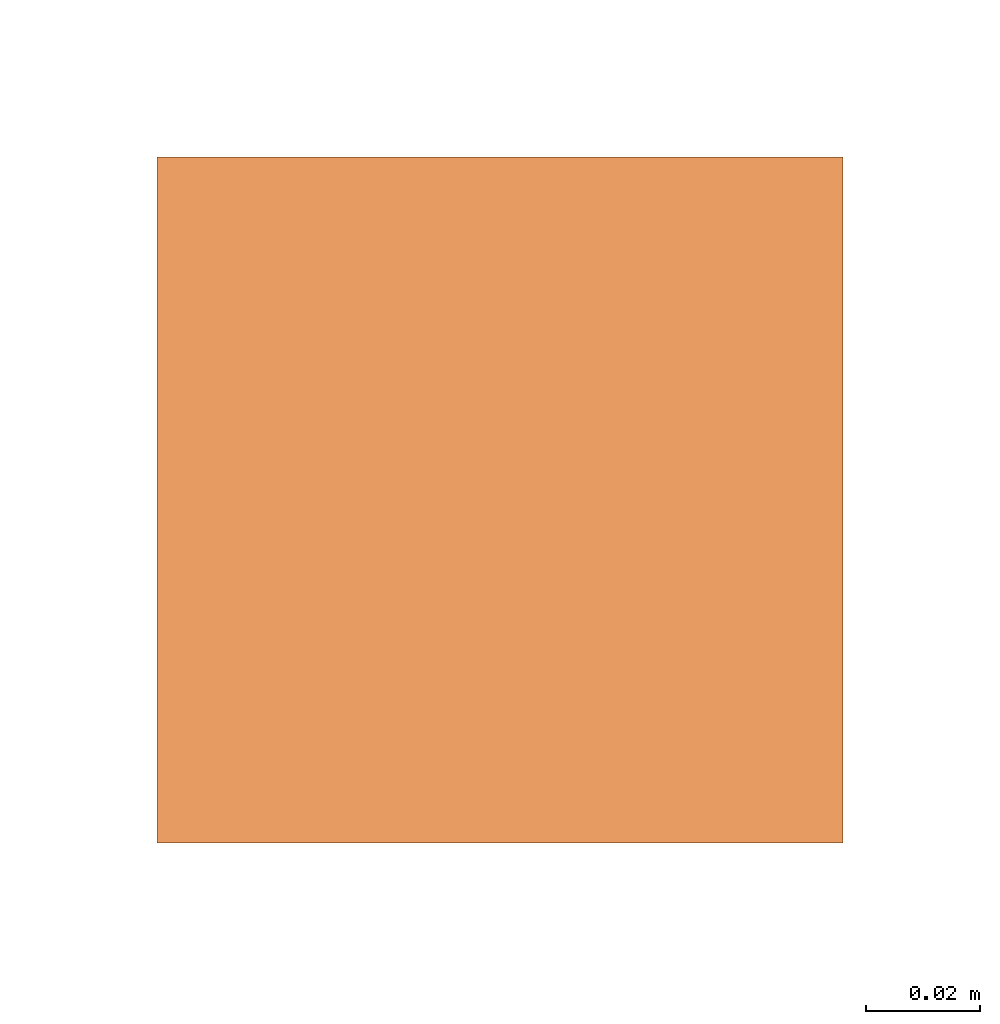
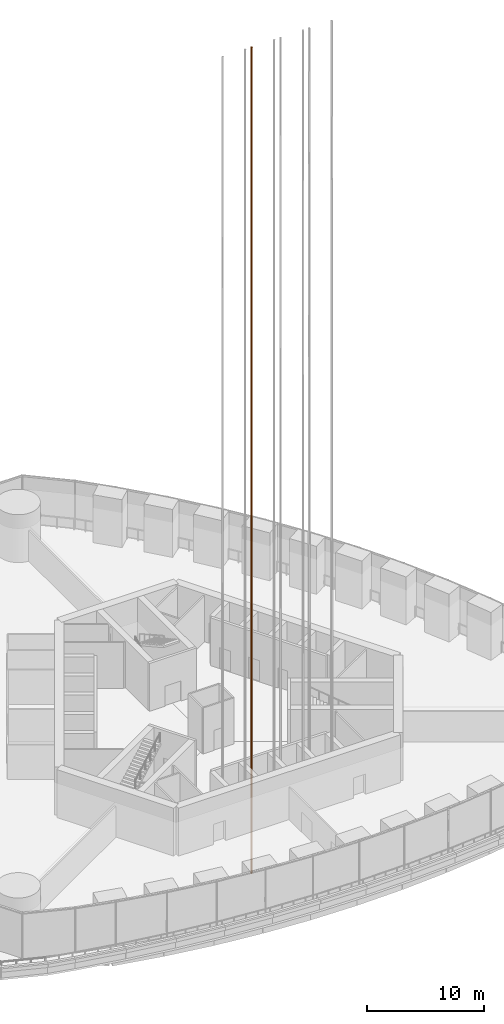
# One storey, part 26 of 31: 1 proxy.
"""IFC4 building model written with IfcOpenShell, lengths in metres."""

from ifc_helpers import new_model, si_unit, direction, frame, origin, origin_2d, place, context, subcontext, project, spatial, rectangle, extrude, element, save


model = new_model("IFC4")

# Units and contexts
model_context = context("Model", 3, precision=1e-05, world=origin(), true_north=direction((0.0, 1.0)))
body_context = subcontext(model_context, "Body", "Model", "MODEL_VIEW")
ifc_project = project(units=[si_unit("LENGTHUNIT", "METRE"), si_unit("AREAUNIT", "SQUARE_METRE"), si_unit("VOLUMEUNIT", "CUBIC_METRE"), si_unit("PLANEANGLEUNIT", "RADIAN"), si_unit("MASSUNIT", "GRAM", prefix="KILO")], contexts=[model_context])

# Site, building, storey
site_placement = place(None, origin())
site = spatial("IfcSite", under=ifc_project, at=site_placement, CompositionType="ELEMENT")
building_placement = place(site_placement, origin())
building = spatial("IfcBuilding", under=site, at=building_placement, Name="Trefoil Bronze Tower", CompositionType="ELEMENT")
storey_placement = place(building_placement, frame((0.0, 0.0, 184.699951171875)))
storey = spatial("IfcBuildingStorey", under=building, at=storey_placement, Name="L42", CompositionType="ELEMENT", Elevation=184.699951171875)

# Proxy
proxy_placement = place(storey_placement, frame((-2.534912109375, -11.3125, -6.0), z_axis=(0.0, 0.0, 1.0), x_axis=(1.0, 0.0, 0.0)))
element("IfcBuildingElementProxy", 1, at=proxy_placement, inside=storey, Name="Lift P32 guide rail 1", ObjectType="LIFT GUIDE RAIL", PredefinedType="USERDEFINED", context=body_context, shape_type="SweptSolid", body=[
    extrude(rectangle(XDim=0.1201171875, YDim=0.1201171875, at=origin_2d()), origin(), (0.0, 0.0, 1.0), 86.25),
])

save(model, "model.ifc")
